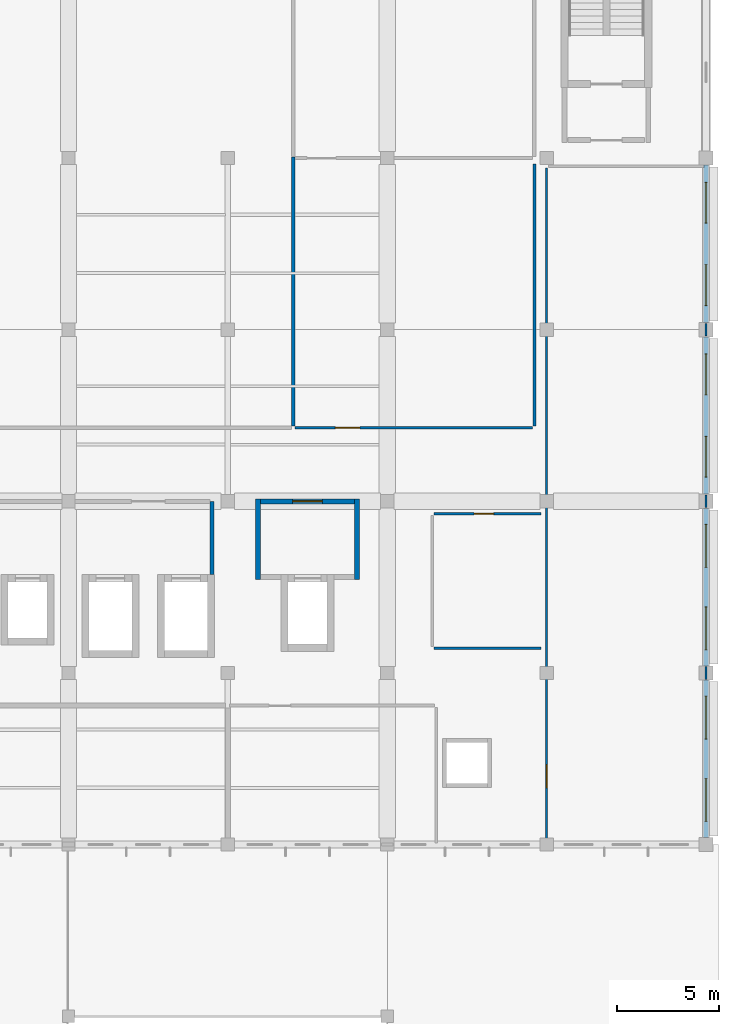
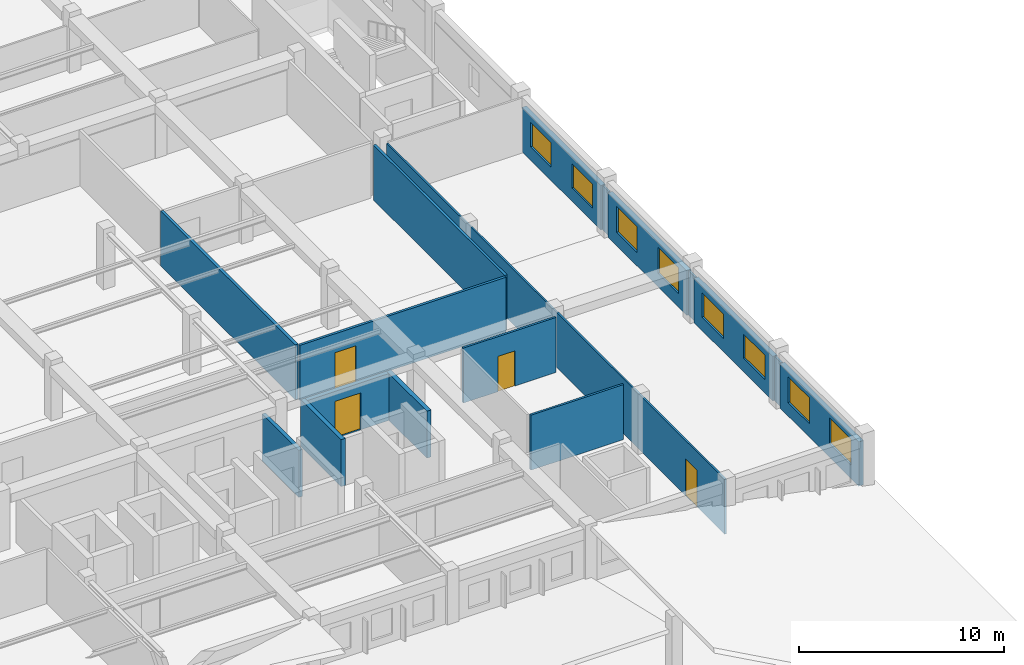
# One storey, part 42 of 49: 17 walls, 8 windows, 4 doors, 12 openings.
"""IFC4 building model written with IfcOpenShell, lengths in metres."""

from ifc_helpers import new_model, si_unit, direction, frame, frame_2d, origin, place, context, subcontext, project, spatial, rectangle, extrude, material, layer, layer_set, type_object, element, fill, save


model = new_model("IFC4")

# Units and contexts
model_context = context("Model", 3, precision=1e-05, world=origin(), true_north=direction((0.0, 1.0)))
body_context = subcontext(model_context, "Body", "Model", "MODEL_VIEW")
ifc_project = project(units=[si_unit("LENGTHUNIT", "METRE"), si_unit("AREAUNIT", "SQUARE_METRE"), si_unit("VOLUMEUNIT", "CUBIC_METRE"), si_unit("PLANEANGLEUNIT", "RADIAN"), si_unit("MASSUNIT", "GRAM", prefix="KILO"), si_unit("THERMODYNAMICTEMPERATUREUNIT", "KELVIN"), si_unit("POWERUNIT", "WATT")], contexts=[model_context])

# Site, building, storey
site_placement = place(None, origin())
site = spatial("IfcSite", under=ifc_project, at=site_placement, CompositionType="ELEMENT")
building_placement = place(site_placement, origin())
building = spatial("IfcBuilding", under=site, at=building_placement, Name="Srebrne Nadtorze General Hospital", CompositionType="ELEMENT")
storey_placement = place(building_placement, frame((0.0, 0.0, 26.10009765625)))
storey = spatial("IfcBuildingStorey", under=building, at=storey_placement, Name="L06", CompositionType="ELEMENT", Elevation=26.10009765625)

# Wall, opening, door
ifc_material_1 = material(Name="Gypsum Healthcare Partition")
ifc_layer_1 = layer(ifc_material_1, 0.139892578125)
ifc_layer_set_1 = layer_set([ifc_layer_1], Name="Gypsum Healthcare Partition")
wall_type_1 = type_object("IfcWallType", Name="Clinical partition 140", PredefinedType="PARTITIONING", material=ifc_layer_set_1)
wall_1_placement = place(storey_placement, frame((128.0849609375, 54.0, 0.0), z_axis=(0.0, 0.0, 1.0), x_axis=(1.0, 0.0, 0.0)))
wall_1 = element("IfcWall", 1, at=wall_1_placement, inside=storey, type_object=wall_type_1, Name="Occupational Therapy Workshop wall WL-INT-L06-2224", PredefinedType="PARTITIONING", context=body_context, shape_type="SweptSolid", body=[
    extrude(rectangle(XDim=11.630126953125, YDim=0.139892578125, at=frame_2d((5.81494140625, 0.0))), origin(), (0.0, 0.0, 1.0), 3.27978515625),
])
opening_1_placement = place(wall_1_placement, frame((1.970703125, 0.0, 0.0)))
opening_1 = element("IfcOpeningElement", 2, at=opening_1_placement, cuts=wall_1, Name="Opening D-L06-0482", PredefinedType="OPENING", context=body_context, shape_type="SweptSolid", body=[
    extrude(rectangle(XDim=1.199951171875, YDim=2.14990234375, at=frame_2d((0.60009765625, 1.074951171875))), frame((0.0, 0.08203125, 0.0), z_axis=(0.0, -1.0, 0.0), x_axis=(1.0, 0.0, 0.0)), (0.0, 0.0, 1.0), 0.163818359375),
])
ifc_material_2 = material(Name="Anodised Aluminium", Category="aluminium")
door_type_1 = type_object("IfcDoorType", Name="Single leaf door 1200x2150", OperationType="NOTDEFINED", PredefinedType="DOOR", material=ifc_material_2)
door_1_placement = place(opening_1_placement, origin())
door_1 = element("IfcDoor", 3, at=door_1_placement, inside=storey, type_object=door_type_1, Name="Occupational Therapy Workshop door D-L06-0482", OperationType="SINGLE_SWING_LEFT", OverallHeight=2.14990234375, OverallWidth=1.199951171875, PredefinedType="DOOR", context=body_context, shape_type="SweptSolid", body=[
    extrude(rectangle(XDim=1.199951171875, YDim=2.14990234375, at=frame_2d((0.60009765625, 1.074951171875))), frame((0.0, 0.02490234375, 0.0), z_axis=(0.0, -1.0, 0.0), x_axis=(1.0, 0.0, 0.0)), (0.0, 0.0, 1.0), 0.050048828125),
])
fill(opening_1, door_1)

# Walls
wall_2_placement = place(storey_placement, frame((139.800048828125, 54.0849609375, 0.0), z_axis=(0.0, 0.0, 1.0), x_axis=(0.0, 1.0, 0.0)))
element("IfcWall", 4, at=wall_2_placement, inside=storey, type_object=wall_type_1, Name="Occupational Therapy Workshop wall WL-INT-L06-2225", PredefinedType="PARTITIONING", context=body_context, shape_type="SweptSolid", body=[
    extrude(rectangle(XDim=12.830078125, YDim=0.139892578125, at=frame_2d((6.4150390625, 0.0))), origin(), (0.0, 0.0, 1.0), 3.27978515625),
])
ifc_material_3 = material(Name="Gypsum Healthcare Partition")
ifc_layer_2 = layer(ifc_material_3, 0.159912109375)
ifc_layer_set_2 = layer_set([ifc_layer_2], Name="Gypsum Healthcare Partition")
wall_type_2 = type_object("IfcWallType", Name="Clinical partition 160", PredefinedType="PARTITIONING", material=ifc_layer_set_2)
wall_3_placement = place(storey_placement, frame((128.0, 54.0849609375, 0.0), z_axis=(0.0, 0.0, 1.0), x_axis=(0.0, 1.0, 0.0)))
element("IfcWall", 5, at=wall_3_placement, inside=storey, type_object=wall_type_2, Name="Physiotherapy Kinesiotherapy Gymnasium wall WL-INT-L06-2223", PredefinedType="PARTITIONING", context=body_context, shape_type="SweptSolid", body=[
    extrude(rectangle(XDim=13.16015625, YDim=0.159912109375, at=frame_2d((6.580078125, 0.0))), origin(), (0.0, 0.0, 1.0), 3.27978515625),
])
ifc_material_4 = material(Name="Gypsum Healthcare Partition")
ifc_layer_3 = layer(ifc_material_4, 0.199951171875)
ifc_layer_set_3 = layer_set([ifc_layer_3], Name="Gypsum Healthcare Partition")
wall_type_3 = type_object("IfcWallType", Name="Compartment wall 200", PredefinedType="STANDARD", material=ifc_layer_set_3)
wall_4_placement = place(storey_placement, frame((124.02001953125, 46.81005859375, 0.0), z_axis=(0.0, 0.0, 1.0), x_axis=(0.0, 1.0, 0.0)))
element("IfcWall", 6, at=wall_4_placement, inside=storey, type_object=wall_type_3, Name="Lift lobby side wall WL-INT-L06-1136", PredefinedType="STANDARD", context=body_context, shape_type="SweptSolid", body=[
    extrude(rectangle(XDim=3.58984375, YDim=0.199951171875, at=frame_2d((1.794921875, 0.0))), origin(), (0.0, 0.0, 1.0), 2.7998046875),
])
ifc_material_5 = material(Name="Gypsum Healthcare Partition")
ifc_layer_4 = layer(ifc_material_5, 0.239990234375)
ifc_layer_set_4 = layer_set([ifc_layer_4], Name="Gypsum Healthcare Partition")
wall_type_4 = type_object("IfcWallType", Name="Corridor fire wall 240", PredefinedType="STANDARD", material=ifc_layer_set_4)
for number, where, z_axis, x_axis, name in (
    (7, (126.280029296875, 46.570068359375, 0.0), (0.0, 0.0, 1.0), (0.0, 1.0, 0.0), "FF lift lobby wall WL-INT-L06-1130"),
    (8, (131.1201171875, 46.570068359375, 0.0), (0.0, 0.0, 1.0), (0.0, 1.0, 0.0), "FF lift lobby wall WL-INT-L06-1131"),
):
    element("IfcWall", number, at=place(storey_placement, frame(where, z_axis=z_axis, x_axis=x_axis)), inside=storey, type_object=wall_type_4, Name=name, PredefinedType="STANDARD", context=body_context, shape_type="SweptSolid", body=[
        extrude(rectangle(XDim=3.949951171875, YDim=0.239990234375, at=frame_2d((1.97509765625, 0.0))), origin(), (0.0, 0.0, 1.0), 2.7998046875),
    ])

# Wall, opening, door
wall_5_placement = place(storey_placement, frame((126.39990234375, 50.39990234375, 0.0), z_axis=(0.0, 0.0, 1.0), x_axis=(1.0, 0.0, 0.0)))
wall_5 = element("IfcWall", 9, at=wall_5_placement, inside=storey, type_object=wall_type_4, Name="FF lift lobby front wall WL-INT-L06-1134", PredefinedType="STANDARD", context=body_context, shape_type="SweptSolid", body=[
    extrude(rectangle(XDim=4.60009765625, YDim=0.239990234375, at=frame_2d((2.300048828125, 0.0))), origin(), (0.0, 0.0, 1.0), 2.7998046875),
])
opening_2_placement = place(wall_5_placement, frame((1.574951171875, 0.0, 0.0)))
opening_2 = element("IfcOpeningElement", 10, at=opening_2_placement, cuts=wall_5, Name="Opening D-L06-0155", PredefinedType="OPENING", context=body_context, shape_type="SweptSolid", body=[
    extrude(rectangle(XDim=1.449951171875, YDim=2.199951171875, at=frame_2d((0.72509765625, 1.10009765625))), frame((0.0, 0.1318359375, 0.0), z_axis=(0.0, -1.0, 0.0), x_axis=(1.0, 0.0, 0.0)), (0.0, 0.0, 1.0), 0.263916015625),
])
ifc_material_6 = material(Name="Anodised Aluminium", Category="aluminium")
door_type_2 = type_object("IfcDoorType", Name="Double leaf door 1450x2200", OperationType="DOUBLE_DOOR_SINGLE_SWING", PredefinedType="DOOR", material=ifc_material_6)
door_2_placement = place(opening_2_placement, origin())
door_2 = element("IfcDoor", 11, at=door_2_placement, inside=storey, type_object=door_type_2, Name="Firefighting lift lobby door D-L06-0155", OperationType="DOUBLE_DOOR_SINGLE_SWING", OverallHeight=2.199951171875, OverallWidth=1.449951171875, PredefinedType="DOOR", context=body_context, shape_type="SweptSolid", body=[
    extrude(rectangle(XDim=1.449951171875, YDim=2.199951171875, at=frame_2d((0.72509765625, 1.10009765625))), frame((0.0, 0.02490234375, 0.0), z_axis=(0.0, -1.0, 0.0), x_axis=(1.0, 0.0, 0.0)), (0.0, 0.0, 1.0), 0.050048828125),
])
fill(opening_2, door_2)

ifc_material_7 = material(Name="Gypsum Healthcare Partition")
ifc_layer_5 = layer(ifc_material_7, 0.1201171875)
ifc_layer_set_5 = layer_set([ifc_layer_5], Name="Gypsum Healthcare Partition")
wall_type_5 = type_object("IfcWallType", Name="En-suite partition 120", PredefinedType="PARTITIONING", material=ifc_layer_set_5)
wall_6_placement = place(storey_placement, frame((134.885009765625, 49.800048828125, 0.0), z_axis=(0.0, 0.0, 1.0), x_axis=(1.0, 0.0, 0.0)))
wall_6 = element("IfcWall", 12, at=wall_6_placement, inside=storey, type_object=wall_type_5, Name="Accessible WC wall WL-INT-L06-2242", PredefinedType="PARTITIONING", context=body_context, shape_type="SweptSolid", body=[
    extrude(rectangle(XDim=5.22998046875, YDim=0.1201171875, at=frame_2d((2.614990234375, 0.0))), origin(), (0.0, 0.0, 1.0), 3.27978515625),
])
opening_3_placement = place(wall_6_placement, frame((1.96826171875, 0.0, 0.0)))
opening_3 = element("IfcOpeningElement", 13, at=opening_3_placement, cuts=wall_6, Name="Opening D-L06-0487", PredefinedType="OPENING", context=body_context, shape_type="SweptSolid", body=[
    extrude(rectangle(XDim=0.949951171875, YDim=2.10009765625, at=frame_2d((0.47509765625, 1.050048828125))), frame((0.0, 0.072021484375, 0.0), z_axis=(0.0, -1.0, 0.0), x_axis=(1.0, 0.0, 0.0)), (0.0, 0.0, 1.0), 0.14404296875),
])
ifc_material_8 = material(Name="Anodised Aluminium", Category="aluminium")
door_type_3 = type_object("IfcDoorType", Name="Single leaf door 950x2100", OperationType="NOTDEFINED", PredefinedType="DOOR", material=ifc_material_8)
door_3_placement = place(opening_3_placement, frame((0.949951171875, 0.0, 0.0), z_axis=(0.0, 0.0, 1.0), x_axis=(-1.0, 0.0, 0.0)))
door_3 = element("IfcDoor", 14, at=door_3_placement, inside=storey, type_object=door_type_3, Name="Accessible WC door D-L06-0487", OperationType="SINGLE_SWING_LEFT", OverallHeight=2.10009765625, OverallWidth=0.949951171875, PredefinedType="DOOR", context=body_context, shape_type="SweptSolid", body=[
    extrude(rectangle(XDim=0.949951171875, YDim=2.10009765625, at=frame_2d((0.47509765625, 1.050048828125))), frame((0.0, 0.02490234375, 0.0), z_axis=(0.0, -1.0, 0.0), x_axis=(1.0, 0.0, 0.0)), (0.0, 0.0, 1.0), 0.050048828125),
])
fill(opening_3, door_3)

# Wall
wall_7_placement = place(storey_placement, frame((134.885009765625, 43.199951171875, 0.0), z_axis=(0.0, 0.0, 1.0), x_axis=(1.0, 0.0, 0.0)))
element("IfcWall", 15, at=wall_7_placement, inside=storey, type_object=wall_type_5, Name="Accessible WC wall WL-INT-L06-2243", PredefinedType="PARTITIONING", context=body_context, shape_type="SweptSolid", body=[
    extrude(rectangle(XDim=5.22998046875, YDim=0.1201171875, at=frame_2d((2.614990234375, 0.0))), origin(), (0.0, 0.0, 1.0), 3.27978515625),
])

# Wall, opening, door
ifc_material_9 = material(Name="Gypsum Healthcare Partition")
ifc_layer_6 = layer(ifc_material_9, 0.10009765625)
ifc_layer_set_6 = layer_set([ifc_layer_6], Name="Gypsum Healthcare Partition")
wall_type_6 = type_object("IfcWallType", Name="Shaft lining wall 100", PredefinedType="PARTITIONING", material=ifc_layer_set_6)
wall_8_placement = place(storey_placement, frame((140.39990234375, 33.68505859375, 0.0), z_axis=(0.0, 0.0, 1.0), x_axis=(0.0, 1.0, 0.0)))
wall_8 = element("IfcWall", 16, at=wall_8_placement, inside=storey, type_object=wall_type_6, Name="Clinical Nutrition Consultation Suite wall WL-INT-L06-2237", PredefinedType="PARTITIONING", context=body_context, shape_type="SweptSolid", body=[
    extrude(rectangle(XDim=33.030029296875, YDim=0.10009765625, at=frame_2d((16.51513671875, 0.0))), origin(), (0.0, 0.0, 1.0), 3.27978515625),
])
opening_4_placement = place(wall_8_placement, frame((2.693115234375, 0.0, 0.0)))
opening_4 = element("IfcOpeningElement", 17, at=opening_4_placement, cuts=wall_8, Name="Opening D-L06-0486", PredefinedType="OPENING", context=body_context, shape_type="SweptSolid", body=[
    extrude(rectangle(XDim=1.1201171875, YDim=2.199951171875, at=frame_2d((0.56005859375, 1.10009765625))), frame((0.0, 0.06201171875, 0.0), z_axis=(0.0, -1.0, 0.0), x_axis=(1.0, 0.0, 0.0)), (0.0, 0.0, 1.0), 0.1240234375),
])
ifc_material_10 = material(Name="Anodised Aluminium", Category="aluminium")
door_type_4 = type_object("IfcDoorType", Name="Single leaf door 1120x2200", OperationType="NOTDEFINED", PredefinedType="DOOR", material=ifc_material_10)
door_4_placement = place(opening_4_placement, frame((1.1201171875, 0.0, 0.0), z_axis=(0.0, 0.0, 1.0), x_axis=(-1.0, 0.0, 0.0)))
door_4 = element("IfcDoor", 18, at=door_4_placement, inside=storey, type_object=door_type_4, Name="Clinical Nutrition Consultation Suite door D-L06-0486", OperationType="SINGLE_SWING_RIGHT", OverallHeight=2.199951171875, OverallWidth=1.1201171875, PredefinedType="DOOR", context=body_context, shape_type="SweptSolid", body=[
    extrude(rectangle(XDim=1.1201171875, YDim=2.199951171875, at=frame_2d((0.56005859375, 1.10009765625))), frame((0.0, 0.02490234375, 0.0), z_axis=(0.0, -1.0, 0.0), x_axis=(1.0, 0.0, 0.0)), (0.0, 0.0, 1.0), 0.050048828125),
])
fill(opening_4, door_4)

# Walls
wall_9_placement = place(storey_placement, frame((148.199951171875, 41.68994140625, 0.0), z_axis=(0.0, 0.0, 1.0), x_axis=(0.0, 1.0, 0.0)))
element("IfcWall", 19, at=wall_9_placement, inside=storey, type_object=wall_type_6, Name="Clinical Nutrition Consultation Suite wall WL-INT-L06-2239", PredefinedType="PARTITIONING", context=body_context, shape_type="SweptSolid", body=[
    extrude(rectangle(XDim=0.6201171875, YDim=0.10009765625, at=frame_2d((0.31005859375, 0.0))), origin(), (0.0, 0.0, 1.0), 2.64990234375),
])
wall_10_placement = place(storey_placement, frame((148.199951171875, 50.090087890625, 0.0), z_axis=(0.0, 0.0, 1.0), x_axis=(0.0, 1.0, 0.0)))
element("IfcWall", 20, at=wall_10_placement, inside=storey, type_object=wall_type_6, Name="Clinical Nutrition Consultation Suite wall WL-INT-L06-2240", PredefinedType="PARTITIONING", context=body_context, shape_type="SweptSolid", body=[
    extrude(rectangle(XDim=0.619873046875, YDim=0.10009765625, at=frame_2d((0.31005859375, 0.0))), origin(), (0.0, 0.0, 1.0), 2.64990234375),
])
wall_11_placement = place(storey_placement, frame((148.199951171875, 58.489990234375, 0.0), z_axis=(0.0, 0.0, 1.0), x_axis=(0.0, 1.0, 0.0)))
element("IfcWall", 21, at=wall_11_placement, inside=storey, type_object=wall_type_6, Name="Clinical Nutrition Consultation Suite wall WL-INT-L06-2241", PredefinedType="PARTITIONING", context=body_context, shape_type="SweptSolid", body=[
    extrude(rectangle(XDim=0.6201171875, YDim=0.10009765625, at=frame_2d((0.31005859375, 0.0))), origin(), (0.0, 0.0, 1.0), 2.64990234375),
])

# Wall, openings, windows
ifc_material_11 = material(Name="Concrete C35/45 precast", Category="concrete")
ifc_layer_7 = layer(ifc_material_11, 0.260009765625)
ifc_layer_set_7 = layer_set([ifc_layer_7], Name="Concrete C35/45 precast")
wall_type_7 = type_object("IfcWallType", Name="Spandrel wall 260", PredefinedType="STANDARD", material=ifc_layer_set_7)
wall_12_placement = place(storey_placement, frame((148.199951171875, 33.949951171875, 0.0), z_axis=(0.0, 0.0, 1.0), x_axis=(0.0, 1.0, 0.0)))
wall_12 = element("IfcWall", 22, at=wall_12_placement, inside=storey, type_object=wall_type_7, Name="Exterior wall WL-ENV-L06-0499", PredefinedType="STANDARD", context=body_context, shape_type="SweptSolid", body=[
    extrude(rectangle(XDim=7.699951171875, YDim=0.260009765625, at=frame_2d((3.85009765625, 0.0))), origin(), (0.0, 0.0, 1.0), 2.64990234375),
])
opening_5_placement = place(wall_12_placement, frame((0.783935546875, 0.0, 0.800048828125)))
opening_5 = element("IfcOpeningElement", 23, at=opening_5_placement, cuts=wall_12, Name="Opening WN-L06-0828", PredefinedType="OPENING", context=body_context, shape_type="SweptSolid", body=[
    extrude(rectangle(XDim=2.10009765625, YDim=1.550048828125, at=frame_2d((1.050048828125, 0.77490234375))), frame((0.0, 0.14208984375, 0.0), z_axis=(0.0, -1.0, 0.0), x_axis=(1.0, 0.0, 0.0)), (0.0, 0.0, 1.0), 0.283935546875),
])
opening_6_placement = place(wall_12_placement, frame((4.81591796875, 0.0, 0.800048828125)))
opening_6 = element("IfcOpeningElement", 24, at=opening_6_placement, cuts=wall_12, Name="Opening WN-L06-0829", PredefinedType="OPENING", context=body_context, shape_type="SweptSolid", body=[
    extrude(rectangle(XDim=2.10009765625, YDim=1.550048828125, at=frame_2d((1.050048828125, 0.77490234375))), frame((0.0, 0.14208984375, 0.0), z_axis=(0.0, -1.0, 0.0), x_axis=(1.0, 0.0, 0.0)), (0.0, 0.0, 1.0), 0.283935546875),
])
ifc_material_12 = material(Name="Triple Low-E Glazing", Category="glass")
window_type_1 = type_object("IfcWindowType", Name="Punched clinical window 2100x1550", PartitioningType="DOUBLE_PANEL_VERTICAL", PredefinedType="WINDOW", material=ifc_material_12)
window_1_placement = place(opening_5_placement, origin())
window_1 = element("IfcWindow", 25, at=window_1_placement, inside=storey, type_object=window_type_1, Name="Clinical window WN-L06-0828", OverallHeight=1.550048828125, OverallWidth=2.10009765625, PartitioningType="DOUBLE_PANEL_VERTICAL", PredefinedType="WINDOW", context=body_context, shape_type="SweptSolid", body=[
    extrude(rectangle(XDim=2.10009765625, YDim=1.550048828125, at=frame_2d((1.050048828125, 0.77490234375))), frame((0.0, 0.030029296875, 0.0), z_axis=(0.0, -1.0, 0.0), x_axis=(1.0, 0.0, 0.0)), (0.0, 0.0, 1.0), 0.06005859375),
])
fill(opening_5, window_1)
window_2_placement = place(opening_6_placement, origin())
window_2 = element("IfcWindow", 26, at=window_2_placement, inside=storey, type_object=window_type_1, Name="Clinical window WN-L06-0829", OverallHeight=1.550048828125, OverallWidth=2.10009765625, PartitioningType="DOUBLE_PANEL_VERTICAL", PredefinedType="WINDOW", context=body_context, shape_type="SweptSolid", body=[
    extrude(rectangle(XDim=2.10009765625, YDim=1.550048828125, at=frame_2d((1.050048828125, 0.77490234375))), frame((0.0, 0.030029296875, 0.0), z_axis=(0.0, -1.0, 0.0), x_axis=(1.0, 0.0, 0.0)), (0.0, 0.0, 1.0), 0.06005859375),
])
fill(opening_6, window_2)

wall_13_placement = place(storey_placement, frame((148.199951171875, 42.35009765625, 0.0), z_axis=(0.0, 0.0, 1.0), x_axis=(0.0, 1.0, 0.0)))
wall_13 = element("IfcWall", 27, at=wall_13_placement, inside=storey, type_object=wall_type_7, Name="Exterior wall WL-ENV-L06-0500", PredefinedType="STANDARD", context=body_context, shape_type="SweptSolid", body=[
    extrude(rectangle(XDim=7.699951171875, YDim=0.260009765625, at=frame_2d((3.85009765625, 0.0))), origin(), (0.0, 0.0, 1.0), 2.64990234375),
])
opening_7_placement = place(wall_13_placement, frame((0.783935546875, 0.0, 0.800048828125)))
opening_7 = element("IfcOpeningElement", 28, at=opening_7_placement, cuts=wall_13, Name="Opening WN-L06-0830", PredefinedType="OPENING", context=body_context, shape_type="SweptSolid", body=[
    extrude(rectangle(XDim=2.10009765625, YDim=1.449951171875, at=frame_2d((1.050048828125, 0.72509765625))), frame((0.0, 0.14208984375, 0.0), z_axis=(0.0, -1.0, 0.0), x_axis=(1.0, 0.0, 0.0)), (0.0, 0.0, 1.0), 0.283935546875),
])
opening_8_placement = place(wall_13_placement, frame((4.81591796875, 0.0, 0.800048828125)))
opening_8 = element("IfcOpeningElement", 29, at=opening_8_placement, cuts=wall_13, Name="Opening WN-L06-0831", PredefinedType="OPENING", context=body_context, shape_type="SweptSolid", body=[
    extrude(rectangle(XDim=2.10009765625, YDim=1.449951171875, at=frame_2d((1.050048828125, 0.72509765625))), frame((0.0, 0.14208984375, 0.0), z_axis=(0.0, -1.0, 0.0), x_axis=(1.0, 0.0, 0.0)), (0.0, 0.0, 1.0), 0.283935546875),
])
ifc_material_13 = material(Name="Triple Low-E Glazing", Category="glass")
window_type_2 = type_object("IfcWindowType", Name="Punched clinical window 2100x1450", PartitioningType="DOUBLE_PANEL_VERTICAL", PredefinedType="WINDOW", material=ifc_material_13)
window_3_placement = place(opening_7_placement, origin())
window_3 = element("IfcWindow", 30, at=window_3_placement, inside=storey, type_object=window_type_2, Name="Clinical window WN-L06-0830", OverallHeight=1.449951171875, OverallWidth=2.10009765625, PartitioningType="DOUBLE_PANEL_VERTICAL", PredefinedType="WINDOW", context=body_context, shape_type="SweptSolid", body=[
    extrude(rectangle(XDim=2.10009765625, YDim=1.449951171875, at=frame_2d((1.050048828125, 0.72509765625))), frame((0.0, 0.030029296875, 0.0), z_axis=(0.0, -1.0, 0.0), x_axis=(1.0, 0.0, 0.0)), (0.0, 0.0, 1.0), 0.06005859375),
])
fill(opening_7, window_3)
window_4_placement = place(opening_8_placement, origin())
window_4 = element("IfcWindow", 31, at=window_4_placement, inside=storey, type_object=window_type_2, Name="Clinical window WN-L06-0831", OverallHeight=1.449951171875, OverallWidth=2.10009765625, PartitioningType="DOUBLE_PANEL_VERTICAL", PredefinedType="WINDOW", context=body_context, shape_type="SweptSolid", body=[
    extrude(rectangle(XDim=2.10009765625, YDim=1.449951171875, at=frame_2d((1.050048828125, 0.72509765625))), frame((0.0, 0.030029296875, 0.0), z_axis=(0.0, -1.0, 0.0), x_axis=(1.0, 0.0, 0.0)), (0.0, 0.0, 1.0), 0.06005859375),
])
fill(opening_8, window_4)

wall_14_placement = place(storey_placement, frame((148.199951171875, 50.75, 0.0), z_axis=(0.0, 0.0, 1.0), x_axis=(0.0, 1.0, 0.0)))
wall_14 = element("IfcWall", 32, at=wall_14_placement, inside=storey, type_object=wall_type_7, Name="Exterior wall WL-ENV-L06-0501", PredefinedType="STANDARD", context=body_context, shape_type="SweptSolid", body=[
    extrude(rectangle(XDim=7.699951171875, YDim=0.260009765625, at=frame_2d((3.85009765625, 0.0))), origin(), (0.0, 0.0, 1.0), 2.64990234375),
])
opening_9_placement = place(wall_14_placement, frame((0.833984375, 0.0, 0.800048828125)))
opening_9 = element("IfcOpeningElement", 33, at=opening_9_placement, cuts=wall_14, Name="Opening WN-L06-0832", PredefinedType="OPENING", context=body_context, shape_type="SweptSolid", body=[
    extrude(rectangle(XDim=2.0, YDim=1.550048828125, at=frame_2d((1.0, 0.77490234375))), frame((0.0, 0.14208984375, 0.0), z_axis=(0.0, -1.0, 0.0), x_axis=(1.0, 0.0, 0.0)), (0.0, 0.0, 1.0), 0.283935546875),
])
opening_10_placement = place(wall_14_placement, frame((4.865966796875, 0.0, 0.800048828125)))
opening_10 = element("IfcOpeningElement", 34, at=opening_10_placement, cuts=wall_14, Name="Opening WN-L06-0833", PredefinedType="OPENING", context=body_context, shape_type="SweptSolid", body=[
    extrude(rectangle(XDim=2.0, YDim=1.550048828125, at=frame_2d((1.0, 0.77490234375))), frame((0.0, 0.14208984375, 0.0), z_axis=(0.0, -1.0, 0.0), x_axis=(1.0, 0.0, 0.0)), (0.0, 0.0, 1.0), 0.283935546875),
])
ifc_material_14 = material(Name="Triple Low-E Glazing", Category="glass")
window_type_3 = type_object("IfcWindowType", Name="Punched clinical window 2000x1550", PartitioningType="DOUBLE_PANEL_VERTICAL", PredefinedType="WINDOW", material=ifc_material_14)
window_5_placement = place(opening_9_placement, origin())
window_5 = element("IfcWindow", 35, at=window_5_placement, inside=storey, type_object=window_type_3, Name="Clinical window WN-L06-0832", OverallHeight=1.550048828125, OverallWidth=2.0, PartitioningType="DOUBLE_PANEL_VERTICAL", PredefinedType="WINDOW", context=body_context, shape_type="SweptSolid", body=[
    extrude(rectangle(XDim=2.0, YDim=1.550048828125, at=frame_2d((1.0, 0.77490234375))), frame((0.0, 0.030029296875, 0.0), z_axis=(0.0, -1.0, 0.0), x_axis=(1.0, 0.0, 0.0)), (0.0, 0.0, 1.0), 0.06005859375),
])
fill(opening_9, window_5)
window_6_placement = place(opening_10_placement, origin())
window_6 = element("IfcWindow", 36, at=window_6_placement, inside=storey, type_object=window_type_3, Name="Clinical window WN-L06-0833", OverallHeight=1.550048828125, OverallWidth=2.0, PartitioningType="DOUBLE_PANEL_VERTICAL", PredefinedType="WINDOW", context=body_context, shape_type="SweptSolid", body=[
    extrude(rectangle(XDim=2.0, YDim=1.550048828125, at=frame_2d((1.0, 0.77490234375))), frame((0.0, 0.030029296875, 0.0), z_axis=(0.0, -1.0, 0.0), x_axis=(1.0, 0.0, 0.0)), (0.0, 0.0, 1.0), 0.06005859375),
])
fill(opening_10, window_6)

wall_15_placement = place(storey_placement, frame((148.199951171875, 59.14990234375, 0.0), z_axis=(0.0, 0.0, 1.0), x_axis=(0.0, 1.0, 0.0)))
wall_15 = element("IfcWall", 37, at=wall_15_placement, inside=storey, type_object=wall_type_7, Name="Exterior wall WL-ENV-L06-0502", PredefinedType="STANDARD", context=body_context, shape_type="SweptSolid", body=[
    extrude(rectangle(XDim=7.7001953125, YDim=0.260009765625, at=frame_2d((3.85009765625, 0.0))), origin(), (0.0, 0.0, 1.0), 2.64990234375),
])
opening_11_placement = place(wall_15_placement, frame((0.833984375, 0.0, 0.800048828125)))
opening_11 = element("IfcOpeningElement", 38, at=opening_11_placement, cuts=wall_15, Name="Opening WN-L06-0834", PredefinedType="OPENING", context=body_context, shape_type="SweptSolid", body=[
    extrude(rectangle(XDim=2.0, YDim=1.449951171875, at=frame_2d((1.0, 0.72509765625))), frame((0.0, 0.14208984375, 0.0), z_axis=(0.0, -1.0, 0.0), x_axis=(1.0, 0.0, 0.0)), (0.0, 0.0, 1.0), 0.283935546875),
])
opening_12_placement = place(wall_15_placement, frame((4.865966796875, 0.0, 0.800048828125)))
opening_12 = element("IfcOpeningElement", 39, at=opening_12_placement, cuts=wall_15, Name="Opening WN-L06-0835", PredefinedType="OPENING", context=body_context, shape_type="SweptSolid", body=[
    extrude(rectangle(XDim=2.0, YDim=1.449951171875, at=frame_2d((1.0, 0.72509765625))), frame((0.0, 0.14208984375, 0.0), z_axis=(0.0, -1.0, 0.0), x_axis=(1.0, 0.0, 0.0)), (0.0, 0.0, 1.0), 0.283935546875),
])
ifc_material_15 = material(Name="Triple Low-E Glazing", Category="glass")
window_type_4 = type_object("IfcWindowType", Name="Punched clinical window 2000x1450", PartitioningType="DOUBLE_PANEL_VERTICAL", PredefinedType="WINDOW", material=ifc_material_15)
window_7_placement = place(opening_11_placement, origin())
window_7 = element("IfcWindow", 40, at=window_7_placement, inside=storey, type_object=window_type_4, Name="Clinical window WN-L06-0834", OverallHeight=1.449951171875, OverallWidth=2.0, PartitioningType="DOUBLE_PANEL_VERTICAL", PredefinedType="WINDOW", context=body_context, shape_type="SweptSolid", body=[
    extrude(rectangle(XDim=2.0, YDim=1.449951171875, at=frame_2d((1.0, 0.72509765625))), frame((0.0, 0.030029296875, 0.0), z_axis=(0.0, -1.0, 0.0), x_axis=(1.0, 0.0, 0.0)), (0.0, 0.0, 1.0), 0.06005859375),
])
fill(opening_11, window_7)
window_8_placement = place(opening_12_placement, origin())
window_8 = element("IfcWindow", 41, at=window_8_placement, inside=storey, type_object=window_type_4, Name="Clinical window WN-L06-0835", OverallHeight=1.449951171875, OverallWidth=2.0, PartitioningType="DOUBLE_PANEL_VERTICAL", PredefinedType="WINDOW", context=body_context, shape_type="SweptSolid", body=[
    extrude(rectangle(XDim=2.0, YDim=1.449951171875, at=frame_2d((1.0, 0.72509765625))), frame((0.0, 0.030029296875, 0.0), z_axis=(0.0, -1.0, 0.0), x_axis=(1.0, 0.0, 0.0)), (0.0, 0.0, 1.0), 0.06005859375),
])
fill(opening_12, window_8)

save(model, "model.ifc")
